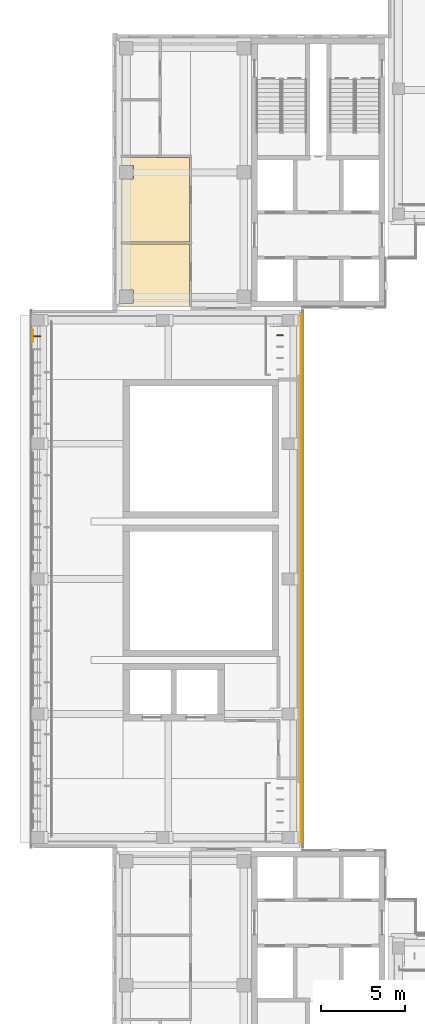
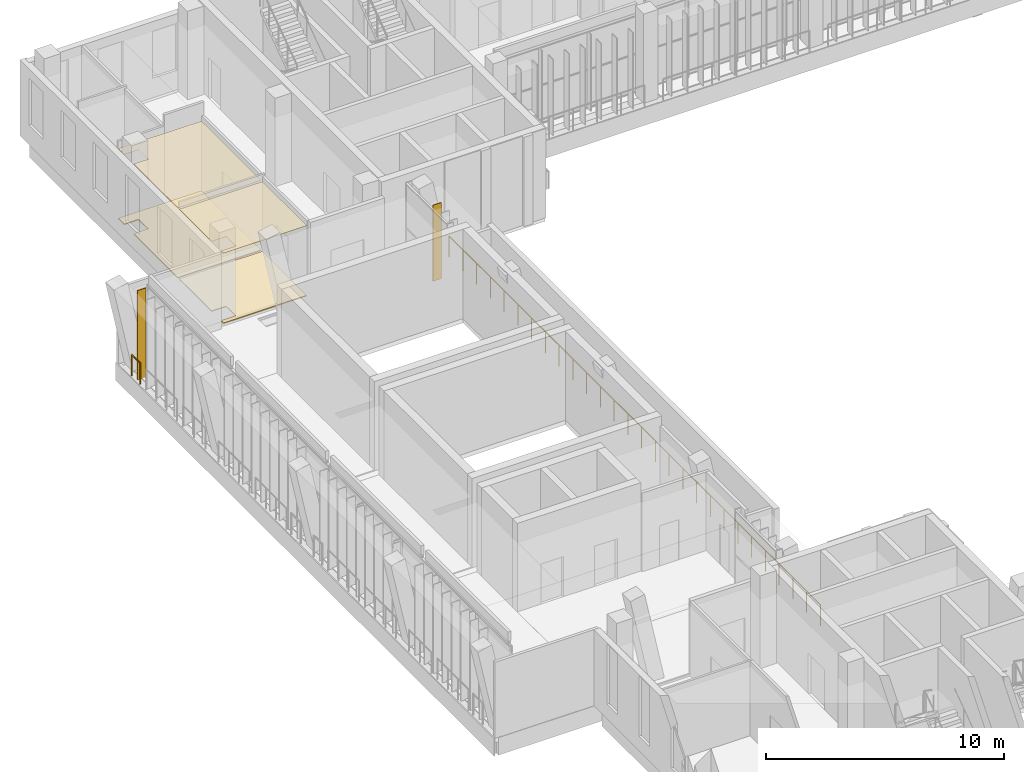
# One storey, part 60 of 73: 4 coverings, 2 railings, 2 shading devices.
"""IFC4 building model written with IfcOpenShell, lengths in metres."""

from ifc_helpers import new_model, si_unit, direction, frame, origin, origin_2d, place, context, subcontext, project, spatial, polyline, rectangle, circle, outline, extrude, material, layer, layer_set, type_object, element, save


model = new_model("IFC4")

# Units and contexts
model_context = context("Model", 3, precision=1e-05, world=origin(), true_north=direction((0.0, 1.0)))
body_context = subcontext(model_context, "Body", "Model", "MODEL_VIEW")
ifc_project = project(units=[si_unit("LENGTHUNIT", "METRE"), si_unit("AREAUNIT", "SQUARE_METRE"), si_unit("VOLUMEUNIT", "CUBIC_METRE"), si_unit("PLANEANGLEUNIT", "RADIAN"), si_unit("MASSUNIT", "GRAM", prefix="KILO")], contexts=[model_context])

# Site, building, storey
site_placement = place(None, origin())
site = spatial("IfcSite", under=ifc_project, at=site_placement, CompositionType="ELEMENT")
building_placement = place(site_placement, origin())
building = spatial("IfcBuilding", under=site, at=building_placement, Name="Lantern Court Media Centre", CompositionType="ELEMENT")
storey_placement = place(building_placement, frame((0.0, 0.0, 24.0)))
storey = spatial("IfcBuildingStorey", under=building, at=storey_placement, Name="L05", CompositionType="ELEMENT", Elevation=24.0)

# Coverings
ifc_material_1 = material(Name="Carpet")
ifc_layer_1 = layer(ifc_material_1, 0.050048828125)
ifc_layer_set_1 = layer_set([ifc_layer_1], Name="Carpet")
covering_type_1 = type_object("IfcCoveringType", Name="Carpet floor finish", PredefinedType="FLOORING", material=ifc_layer_set_1)
covering_1_placement = place(storey_placement, origin())
element("IfcCovering", 1, at=covering_1_placement, inside=storey, type_object=covering_type_1, Name="Production Office 12 floor finish", PredefinedType="FLOORING", context=body_context, shape_type="SweptSolid", body=[
    extrude(outline(polyline([(8.300048828125, 104.951904296875), (12.33251953125, 104.939453125), (12.33251953125, 99.93408203125), (8.300048828125, 99.93408203125), (8.300048828125, 103.64501953125), (9.0048828125, 103.64990234375), (9.00439453125, 104.452392578125), (8.300048828125, 104.455078125), (8.300048828125, 104.951904296875)])), origin(), (0.0, 0.0, 1.0), 0.050048828125),
])
covering_2_placement = place(storey_placement, origin())
element("IfcCovering", 2, at=covering_2_placement, inside=storey, type_object=covering_type_1, Name="Server Room 04 floor finish", PredefinedType="FLOORING", context=body_context, shape_type="SweptSolid", body=[
    extrude(outline(polyline([(8.300048828125, 99.823974609375), (12.33251953125, 99.823974609375), (12.33251953125, 96.10009765625), (8.300048828125, 96.10009765625), (8.300048828125, 96.294921875), (9.0048828125, 96.300048828125), (9.00390625, 97.103271484375), (8.300048828125, 97.10498046875), (8.300048828125, 99.823974609375)])), origin(), (0.0, 0.0, 1.0), 0.050048828125),
])

# Railings
ifc_material_2 = material(Name="Powder-coated steel", Category="steel")
railing_type_1 = type_object("IfcRailingType", Name="Floor edge guard 1100", PredefinedType="GUARDRAIL", material=ifc_material_2)
railing_1_placement = place(storey_placement, frame((3.06005859375, 94.034912109375, 0.0)))
element("IfcRailing", 3, at=railing_1_placement, inside=storey, type_object=railing_type_1, Name="L05 edge guard 164", PredefinedType="GUARDRAIL", context=body_context, shape_type="SweptSolid", body=[
    extrude(circle(Radius=0.02392578125, at=origin_2d()), frame((0.0, 0.0, 1.076171875), z_axis=(0.0, 1.0, 0.0), x_axis=(-1.0, 0.0, 0.0)), (0.0, 0.0, 1.0), 0.698974609375),
    extrude(circle(Radius=0.02099609375, at=origin_2d()), origin(), (0.0, 0.0, 1.0), 1.052001953125),
    extrude(circle(Radius=0.02099609375, at=origin_2d()), frame((0.0, 0.698974609375, 0.0)), (0.0, 0.0, 1.0), 1.052001953125),
])
ifc_material_3 = material(Name="Painted mild steel balustrade", Category="steel")
railing_type_2 = type_object("IfcRailingType", Name="Guard 1100 steel balustrade", PredefinedType="GUARDRAIL", material=ifc_material_3)
railing_2_placement = place(storey_placement, frame((18.949951171875, 64.39990234375, 0.0)))
element("IfcRailing", 4, at=railing_2_placement, inside=storey, type_object=railing_type_2, Name="Ledge guard W L05", PredefinedType="GUARDRAIL", context=body_context, shape_type="SweptSolid", body=[
    extrude(circle(Radius=0.02392578125, at=origin_2d()), frame((0.0, 0.0, 1.076171875), z_axis=(0.0, 1.0, 0.0), x_axis=(-1.0, 0.0, 0.0)), (0.0, 0.0, 1.0), 31.2001953125),
    extrude(circle(Radius=0.02099609375, at=origin_2d()), origin(), (0.0, 0.0, 1.0), 1.052001953125),
    extrude(circle(Radius=0.02099609375, at=origin_2d()), frame((0.0, 1.155517578125, 0.0)), (0.0, 0.0, 1.0), 1.052001953125),
    extrude(circle(Radius=0.02099609375, at=origin_2d()), frame((0.0, 2.31103515625, 0.0)), (0.0, 0.0, 1.0), 1.052001953125),
    extrude(circle(Radius=0.02099609375, at=origin_2d()), frame((0.0, 3.466796875, 0.0)), (0.0, 0.0, 1.0), 1.052001953125),
    extrude(circle(Radius=0.02099609375, at=origin_2d()), frame((0.0, 4.622314453125, 0.0)), (0.0, 0.0, 1.0), 1.052001953125),
    extrude(circle(Radius=0.02099609375, at=origin_2d()), frame((0.0, 5.77783203125, 0.0)), (0.0, 0.0, 1.0), 1.052001953125),
    extrude(circle(Radius=0.02099609375, at=origin_2d()), frame((0.0, 6.933349609375, 0.0)), (0.0, 0.0, 1.0), 1.052001953125),
    extrude(circle(Radius=0.02099609375, at=origin_2d()), frame((0.0, 8.0888671875, 0.0)), (0.0, 0.0, 1.0), 1.052001953125),
    extrude(circle(Radius=0.02099609375, at=origin_2d()), frame((0.0, 9.244384765625, 0.0)), (0.0, 0.0, 1.0), 1.052001953125),
    extrude(circle(Radius=0.02099609375, at=origin_2d()), frame((0.0, 10.400146484375, 0.0)), (0.0, 0.0, 1.0), 1.052001953125),
    extrude(circle(Radius=0.02099609375, at=origin_2d()), frame((0.0, 11.5556640625, 0.0)), (0.0, 0.0, 1.0), 1.052001953125),
    extrude(circle(Radius=0.02099609375, at=origin_2d()), frame((0.0, 12.711181640625, 0.0)), (0.0, 0.0, 1.0), 1.052001953125),
    extrude(circle(Radius=0.02099609375, at=origin_2d()), frame((0.0, 13.86669921875, 0.0)), (0.0, 0.0, 1.0), 1.052001953125),
    extrude(circle(Radius=0.02099609375, at=origin_2d()), frame((0.0, 15.022216796875, 0.0)), (0.0, 0.0, 1.0), 1.052001953125),
    extrude(circle(Radius=0.02099609375, at=origin_2d()), frame((0.0, 16.177978515625, 0.0)), (0.0, 0.0, 1.0), 1.052001953125),
    extrude(circle(Radius=0.02099609375, at=origin_2d()), frame((0.0, 17.33349609375, 0.0)), (0.0, 0.0, 1.0), 1.052001953125),
    extrude(circle(Radius=0.02099609375, at=origin_2d()), frame((0.0, 18.489013671875, 0.0)), (0.0, 0.0, 1.0), 1.052001953125),
    extrude(circle(Radius=0.02099609375, at=origin_2d()), frame((0.0, 19.64453125, 0.0)), (0.0, 0.0, 1.0), 1.052001953125),
    extrude(circle(Radius=0.02099609375, at=origin_2d()), frame((0.0, 20.800048828125, 0.0)), (0.0, 0.0, 1.0), 1.052001953125),
    extrude(circle(Radius=0.02099609375, at=origin_2d()), frame((0.0, 21.955810546875, 0.0)), (0.0, 0.0, 1.0), 1.052001953125),
    extrude(circle(Radius=0.02099609375, at=origin_2d()), frame((0.0, 23.111328125, 0.0)), (0.0, 0.0, 1.0), 1.052001953125),
    extrude(circle(Radius=0.02099609375, at=origin_2d()), frame((0.0, 24.266845703125, 0.0)), (0.0, 0.0, 1.0), 1.052001953125),
    extrude(circle(Radius=0.02099609375, at=origin_2d()), frame((0.0, 25.42236328125, 0.0)), (0.0, 0.0, 1.0), 1.052001953125),
    extrude(circle(Radius=0.02099609375, at=origin_2d()), frame((0.0, 26.577880859375, 0.0)), (0.0, 0.0, 1.0), 1.052001953125),
    extrude(circle(Radius=0.02099609375, at=origin_2d()), frame((0.0, 27.7333984375, 0.0)), (0.0, 0.0, 1.0), 1.052001953125),
    extrude(circle(Radius=0.02099609375, at=origin_2d()), frame((0.0, 28.88916015625, 0.0)), (0.0, 0.0, 1.0), 1.052001953125),
    extrude(circle(Radius=0.02099609375, at=origin_2d()), frame((0.0, 30.044677734375, 0.0)), (0.0, 0.0, 1.0), 1.052001953125),
    extrude(circle(Radius=0.02099609375, at=origin_2d()), frame((0.0, 31.2001953125, 0.0)), (0.0, 0.0, 1.0), 1.052001953125),
])

# Coverings
ifc_material_4 = material(Name="Mineral fibre ceiling tile")
ifc_layer_2 = layer(ifc_material_4, 0.02001953125)
ifc_layer_set_2 = layer_set([ifc_layer_2], Name="Mineral fibre ceiling tile")
covering_type_2 = type_object("IfcCoveringType", Name="Suspended ceiling tile", PredefinedType="CEILING", material=ifc_layer_set_2)
covering_3_placement = place(storey_placement, frame((0.0, 0.0, 3.60009765625)))
element("IfcCovering", 5, at=covering_3_placement, inside=storey, type_object=covering_type_2, Name="Production Office 12 ceiling", PredefinedType="CEILING", context=body_context, shape_type="SweptSolid", body=[
    extrude(outline(polyline([(8.300048828125, 104.95654296875), (12.3369140625, 104.944091796875), (12.3369140625, 99.929443359375), (8.300048828125, 99.929443359375), (8.300048828125, 103.6494140625), (9.00048828125, 103.64990234375), (9.00048828125, 104.4501953125), (8.300048828125, 104.450439453125), (8.300048828125, 104.95654296875)])), origin(), (0.0, 0.0, 1.0), 0.02001953125),
])
covering_4_placement = place(storey_placement, frame((0.0, 0.0, 3.60009765625)))
element("IfcCovering", 6, at=covering_4_placement, inside=storey, type_object=covering_type_2, Name="Server Room 04 ceiling", PredefinedType="CEILING", context=body_context, shape_type="SweptSolid", body=[
    extrude(outline(polyline([(8.300048828125, 99.82861328125), (12.3369140625, 99.82861328125), (12.3369140625, 96.10009765625), (8.300048828125, 96.10009765625), (8.300048828125, 96.299560546875), (9.00048828125, 96.300048828125), (9.00048828125, 97.100341796875), (8.300048828125, 97.1005859375), (8.300048828125, 99.82861328125)])), origin(), (0.0, 0.0, 1.0), 0.02001953125),
])

# Shading devices
ifc_material_5 = material(Name="Bronze anodised aluminium louvre", Category="aluminium")
ifc_layer_3 = layer(ifc_material_5, 0.0400390625)
ifc_layer_set_3 = layer_set([ifc_layer_3], Name="Bronze anodised aluminium louvre")
shading_device_type_1 = type_object("IfcShadingDeviceType", Name="Vertical louvre 40x400 full storey", PredefinedType="USERDEFINED", material=ifc_layer_set_3)
shading_device_1_placement = place(storey_placement, frame((3.320068359375, 94.362548828125, 0.0), z_axis=(0.0, 0.0, 1.0), x_axis=(1.0, 0.0, 0.0)))
element("IfcShadingDevice", 7, at=shading_device_1_placement, inside=storey, type_object=shading_device_type_1, Name="Vertical louvre W outer L05", ObjectType="VERTICAL LOUVRE", PredefinedType="USERDEFINED", context=body_context, shape_type="SweptSolid", body=[
    extrude(rectangle(XDim=0.39990234375, YDim=0.0400390625, at=origin_2d()), origin(), (0.0, 0.0, 1.0), 4.580078125),
])
ifc_layer_4 = layer(ifc_material_5, 0.0400390625)
ifc_layer_set_4 = layer_set([ifc_layer_4], Name="Bronze anodised aluminium louvre")
shading_device_type_2 = type_object("IfcShadingDeviceType", Name="Vertical louvre 40x400 under beam", PredefinedType="USERDEFINED", material=ifc_layer_set_4)
shading_device_2_placement = place(storey_placement, frame((17.679931640625, 94.41259765625, 0.0), z_axis=(0.0, 0.0, 1.0), x_axis=(1.0, 0.0, 0.0)))
element("IfcShadingDevice", 8, at=shading_device_2_placement, inside=storey, type_object=shading_device_type_2, Name="Vertical louvre W inner L05", ObjectType="VERTICAL LOUVRE", PredefinedType="USERDEFINED", context=body_context, shape_type="SweptSolid", body=[
    extrude(rectangle(XDim=0.39990234375, YDim=0.0400390625, at=origin_2d()), origin(), (0.0, 0.0, 1.0), 3.89990234375),
])

save(model, "model.ifc")
